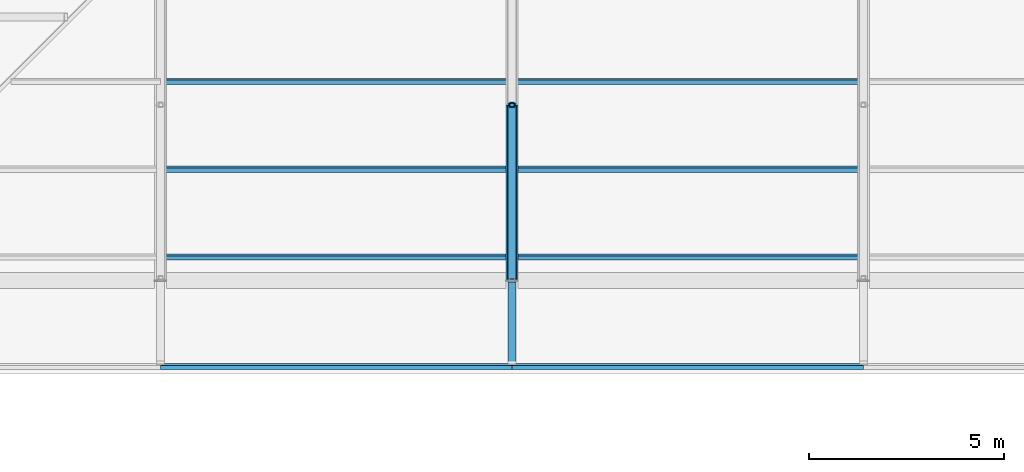
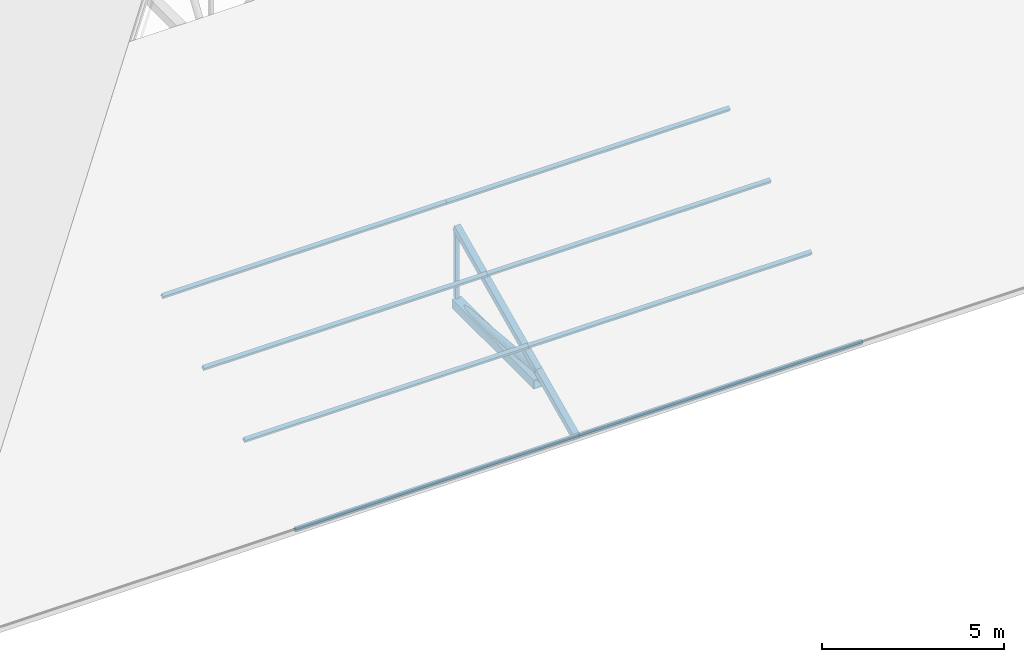
# One storey, part 59 of 154: 13 members.
"""IFC4 building model written with IfcOpenShell, lengths in metres."""

from ifc_helpers import new_model, si_unit, direction, frame, origin, origin_2d, place, context, subcontext, project, spatial, hollow_rectangle, hollow_circle, extrude, material, material_profile, profile_set, type_object, element, save


model = new_model("IFC4")

# Units and contexts
model_context = context("Model", 3, precision=1e-05, world=origin(), true_north=direction((0.0, 1.0)))
body_context = subcontext(model_context, "Body", "Model", "MODEL_VIEW")
ifc_project = project(units=[si_unit("LENGTHUNIT", "METRE"), si_unit("AREAUNIT", "SQUARE_METRE"), si_unit("VOLUMEUNIT", "CUBIC_METRE"), si_unit("PLANEANGLEUNIT", "RADIAN"), si_unit("MASSUNIT", "GRAM", prefix="KILO")], contexts=[model_context])

# Site, building, storey
site_placement = place(None, origin())
site = spatial("IfcSite", under=ifc_project, at=site_placement, CompositionType="ELEMENT")
building_placement = place(site_placement, origin())
building = spatial("IfcBuilding", under=site, at=building_placement, Name="Golden Quay Civic Hall", CompositionType="ELEMENT")
storey_placement = place(building_placement, frame((0.0, 0.0, 14.39990234375)))
storey = spatial("IfcBuildingStorey", under=building, at=storey_placement, Name="L03", CompositionType="ELEMENT", Elevation=14.39990234375)

# Members
ifc_material_1 = material(Name="Steel S355", Category="steel")
ifc_material_profile_1 = material_profile(ifc_material_1, hollow_rectangle(XDim=0.1201171875, YDim=0.1201171875, WallThickness=0.008056640625, at=origin_2d()), Name="SHS 120x120x8")
ifc_profile_set_1 = profile_set([ifc_material_profile_1], Name="Steel S355")
member_type_1 = type_object("IfcMemberType", Name="Steel roof purlin SHS 120x120x8", PredefinedType="PURLIN", material=ifc_profile_set_1)
for number, where, z_axis, x_axis, name in (
    (1, (126.0, 60.800048828125, -0.521240234375), (1.0, 0.0, 0.0), (0.0, 0.906307787037, 0.422618261741), "Purlin south 1-2 L03"),
    (2, (135.0, 60.800048828125, -0.521240234375), (1.0, 0.0, 0.0), (0.0, 0.906307787037, 0.422618261741), "Purlin south 1-3 L03"),
    (3, (126.0, 63.60009765625, 0.784423828125), (1.0, 0.0, 0.0), (0.0, 0.906307787037, 0.422618261741), "Purlin south 2-2 L03"),
    (4, (135.0, 63.60009765625, 0.784423828125), (1.0, 0.0, 0.0), (0.0, 0.906307787037, 0.422618261741), "Purlin south 2-3 L03"),
    (5, (126.0, 65.85009765625, 1.83349609375), (1.0, 0.0, 0.0), (0.0, 0.906307787037, 0.422618261741), "Purlin south 3-2 L03"),
    (6, (135.0, 65.85009765625, 1.83349609375), (1.0, 0.0, 0.0), (0.0, 0.906307787037, 0.422618261741), "Purlin south 3-3 L03"),
    (7, (126.0, 68.10009765625, 2.8828125), (1.0, 0.0, 0.0), (0.0, 0.906307787037, 0.422618261741), "Purlin south 4-2 L03"),
    (8, (135.0, 68.10009765625, 2.8828125), (1.0, 0.0, 0.0), (0.0, 0.906307787037, 0.422618261741), "Purlin south 4-3 L03"),
):
    element("IfcMember", number, at=place(storey_placement, frame(where, z_axis=z_axis, x_axis=x_axis)), inside=storey, type_object=member_type_1, Name=name, PredefinedType="PURLIN", context=body_context, shape_type="SweptSolid", body=[
        extrude(hollow_rectangle(XDim=0.1201171875, YDim=0.1201171875, WallThickness=0.008056640625, at=origin_2d()), origin(), (0.0, 0.0, 1.0), 9.0),
    ])
ifc_material_2 = material(Name="Steel S355", Category="steel")
ifc_material_profile_2 = material_profile(ifc_material_2, hollow_rectangle(XDim=0.300048828125, YDim=0.300048828125, WallThickness=0.01611328125, at=origin_2d()), Name="SHS 300x300x16")
ifc_profile_set_2 = profile_set([ifc_material_profile_2], Name="Steel S355")
member_type_2 = type_object("IfcMemberType", Name="Steel truss bottom chord SHS 300x300x16", PredefinedType="USERDEFINED", material=ifc_profile_set_2)
member_1_placement = place(storey_placement, frame((135.0, 63.0, -0.099853515625), z_axis=(0.0, 1.0, 0.0), x_axis=(-1.0, 0.0, 0.0)))
element("IfcMember", 9, at=member_1_placement, inside=storey, type_object=member_type_2, Name="Truss 135 bottom chord 1 L03", ObjectType="TRUSS BOTTOM CHORD", PredefinedType="USERDEFINED", context=body_context, shape_type="SweptSolid", body=[
    extrude(hollow_rectangle(XDim=0.300048828125, YDim=0.300048828125, WallThickness=0.01611328125, at=origin_2d()), origin(), (0.0, 0.0, 1.0), 4.5),
])
ifc_material_3 = material(Name="Steel S355", Category="steel")
ifc_material_profile_3 = material_profile(ifc_material_3, hollow_circle(Radius=0.109619140625, WallThickness=0.010009765625, at=origin_2d()), Name="CHS 219.1x10")
ifc_profile_set_3 = profile_set([ifc_material_profile_3], Name="Steel S355")
member_type_3 = type_object("IfcMemberType", Name="Steel truss diagonal CHS 219.1x10", PredefinedType="BRACE", material=ifc_profile_set_3)
member_2_placement = place(storey_placement, frame((135.0, 63.0, 0.327880859375), z_axis=(0.0, 0.995512933083, -0.094625578275), x_axis=(-1.0, 0.0, 0.0)))
element("IfcMember", 10, at=member_2_placement, inside=storey, type_object=member_type_3, Name="Truss 135 diagonal 1 L03", PredefinedType="BRACE", context=body_context, shape_type="SweptSolid", body=[
    extrude(hollow_circle(Radius=0.109619140625, WallThickness=0.010009765625, at=origin_2d()), origin(), (0.0, 0.0, 1.0), 4.520263671875),
])
ifc_material_4 = material(Name="Steel S355", Category="steel")
ifc_material_profile_4 = material_profile(ifc_material_4, hollow_rectangle(XDim=0.1201171875, YDim=0.1201171875, WallThickness=0.008056640625, at=origin_2d()), Name="SHS 120x120x8")
ifc_profile_set_4 = profile_set([ifc_material_profile_4], Name="Steel S355")
member_type_4 = type_object("IfcMemberType", Name="Steel truss post SHS 120x120x8", PredefinedType="USERDEFINED", material=ifc_profile_set_4)
member_3_placement = place(storey_placement, frame((135.0, 67.5, 0.050048828125), z_axis=(0.0, 0.0, 1.0), x_axis=(1.0, 0.0, 0.0)))
element("IfcMember", 11, at=member_3_placement, inside=storey, type_object=member_type_4, Name="Truss 135 post 2 L03", ObjectType="TRUSS POST", PredefinedType="USERDEFINED", context=body_context, shape_type="SweptSolid", body=[
    extrude(hollow_rectangle(XDim=0.1201171875, YDim=0.1201171875, WallThickness=0.008056640625, at=origin_2d()), origin(), (0.0, 0.0, 1.0), 2.26611328125),
])
ifc_material_5 = material(Name="Steel S355", Category="steel")
ifc_material_profile_5 = material_profile(ifc_material_5, hollow_rectangle(XDim=0.199951171875, YDim=0.199951171875, WallThickness=0.010009765625, at=origin_2d()), Name="SHS 200x200x10")
ifc_profile_set_5 = profile_set([ifc_material_profile_5], Name="Steel S355")
member_type_5 = type_object("IfcMemberType", Name="Steel truss top chord SHS 200x200x10", PredefinedType="USERDEFINED", material=ifc_profile_set_5)
member_4_placement = place(storey_placement, frame((135.0, 60.89990234375, -0.651123046875), z_axis=(0.0, 0.906355341487, 0.42251626591), x_axis=(-1.0, 0.0, 0.0)))
element("IfcMember", 12, at=member_4_placement, inside=storey, type_object=member_type_5, Name="Truss 135 top chord 1 L03", ObjectType="TRUSS TOP CHORD", PredefinedType="USERDEFINED", context=body_context, shape_type="SweptSolid", body=[
    extrude(hollow_rectangle(XDim=0.199951171875, YDim=0.199951171875, WallThickness=0.010009765625, at=origin_2d()), origin(), (0.0, 0.0, 1.0), 2.317138671875),
])
member_5_placement = place(storey_placement, frame((135.0, 63.0, 0.327880859375), z_axis=(0.0, 0.906288628397, 0.422659345144), x_axis=(-1.0, 0.0, 0.0)))
element("IfcMember", 13, at=member_5_placement, inside=storey, type_object=member_type_5, Name="Truss 135 top chord 2 L03", ObjectType="TRUSS TOP CHORD", PredefinedType="USERDEFINED", context=body_context, shape_type="SweptSolid", body=[
    extrude(hollow_rectangle(XDim=0.199951171875, YDim=0.199951171875, WallThickness=0.010009765625, at=origin_2d()), origin(), (0.0, 0.0, 1.0), 4.96533203125),
])

save(model, "model.ifc")
